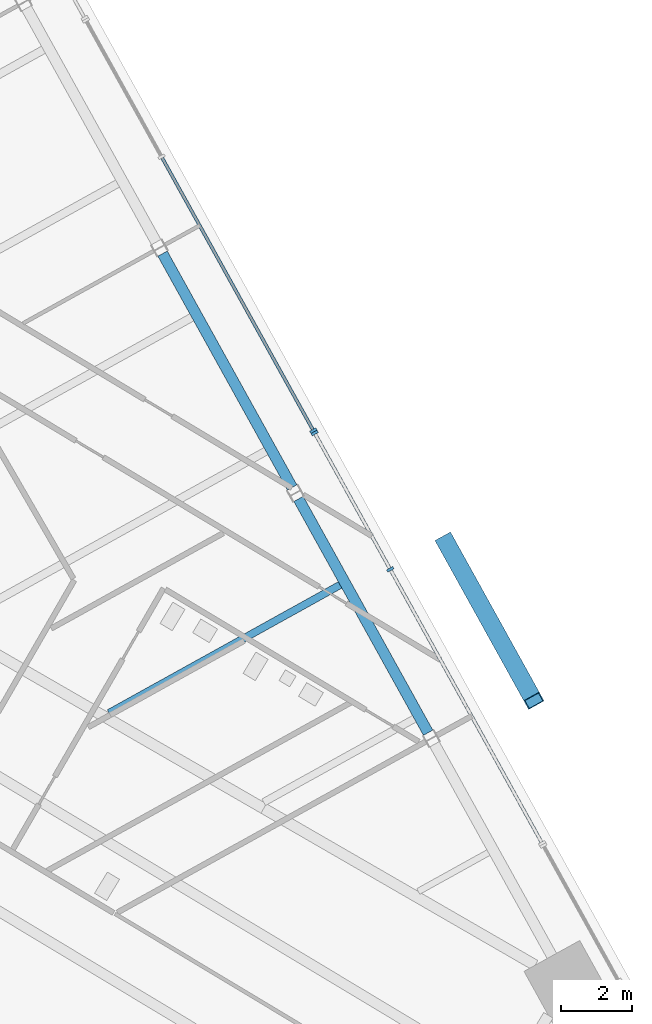
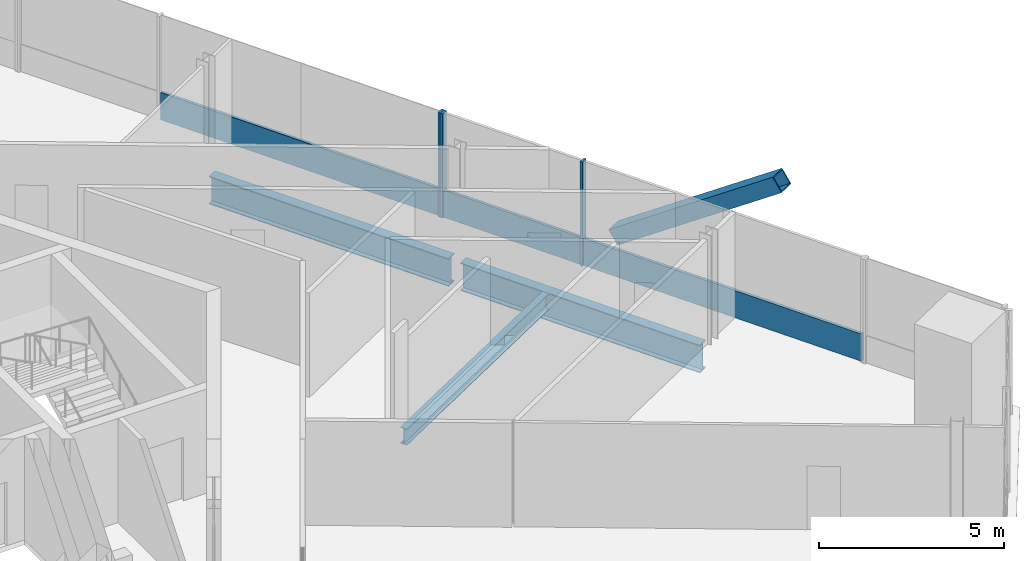
# One storey, part 7 of 19: 7 members, 3 beams, 2 elements without a shape of their own.
"""IFC4 building model written with IfcOpenShell, lengths in metres."""

from ifc_helpers import new_model, si_unit, direction, frame, origin, origin_2d, place, context, subcontext, project, spatial, rectangle, hollow_rectangle, i_section, extrude, source, transform, mapped, material, material_profile, profile_set, type_object, element, aggregate, save


model = new_model("IFC4")

# Units and contexts
model_context = context("Model", 3, precision=1e-05, world=origin(), true_north=direction((0.0, 1.0)))
body_context = subcontext(model_context, "Body", "Model", "MODEL_VIEW")
ifc_project = project(units=[si_unit("LENGTHUNIT", "METRE"), si_unit("AREAUNIT", "SQUARE_METRE"), si_unit("VOLUMEUNIT", "CUBIC_METRE"), si_unit("PLANEANGLEUNIT", "RADIAN"), si_unit("MASSUNIT", "GRAM", prefix="KILO")], contexts=[model_context])

# Site, building, storey
site_placement = place(None, origin())
site = spatial("IfcSite", under=ifc_project, at=site_placement, CompositionType="ELEMENT")
building_placement = place(site_placement, origin())
building = spatial("IfcBuilding", under=site, at=building_placement, Name="Triune Harvest Tower", CompositionType="ELEMENT")
storey_placement = place(building_placement, frame((0.0, 0.0, 205.10009765625)))
storey = spatial("IfcBuildingStorey", under=building, at=storey_placement, Name="L53", CompositionType="ELEMENT", Elevation=205.10009765625)

# Beams
ifc_material_1 = material(Name="Steel ASTM A992 Gr 50", Category="steel")
ifc_material_profile_1 = material_profile(ifc_material_1, i_section(OverallWidth=0.3046875, OverallDepth=0.914306640625, WebThickness=0.0166015625, FlangeThickness=0.02587890625, at=origin_2d()), Name="W36x160")
ifc_profile_set_1 = profile_set([ifc_material_profile_1], Name="Steel ASTM A992 Gr 50")
beam_type_1 = type_object("IfcBeamType", Name="SB-1 Spandrel beam W36x160", PredefinedType="SPANDREL", material=ifc_profile_set_1)
shared_shape_1 = source(origin(), body_context, "Body", "SweptSolid", [
    extrude(i_section(OverallWidth=0.3046875, OverallDepth=0.914306640625, WebThickness=0.0166015625, FlangeThickness=0.02587890625, at=origin_2d()), origin(), (0.0, 0.0, 1.0), 7.556396484375),
])
for number, where, z_axis, x_axis, name in (
    (1, (24.542236328125, -4.311279296875, -0.6171875), (-0.484806011206, 0.874621707654, 0.0), (-0.874621707654, -0.484806011206, 0.0), "beam/L53/SB2"),
    (2, (20.698974609375, 2.6220703125, -0.6171875), (-0.484806011206, 0.874621707654, 0.0), (-0.874621707654, -0.484806011206, 0.0), "beam/L53/SB3"),
):
    element("IfcBeam", number, at=place(storey_placement, frame(where, z_axis=z_axis, x_axis=x_axis)), inside=storey, type_object=beam_type_1, Name=name, PredefinedType="SPANDREL", context=body_context, shape_type="MappedRepresentation", body=[
        mapped(shared_shape_1, transform((0.0, 0.0, 0.0), scale=1.0)),
    ])
ifc_material_2 = material(Name="Steel ASTM A992 Gr 50", Category="steel")
ifc_material_profile_2 = material_profile(ifc_material_2, i_section(OverallWidth=0.2099609375, OverallDepth=0.535888671875, WebThickness=0.010986328125, FlangeThickness=0.017333984375, at=origin_2d()), Name="W21x68")
ifc_profile_set_2 = profile_set([ifc_material_profile_2], Name="Steel ASTM A992 Gr 50")
beam_type_2 = type_object("IfcBeamType", Name="JT-2 Floor joist W21x68", PredefinedType="JOIST", material=ifc_profile_set_2)
shared_shape_2 = source(origin(), body_context, "Body", "SweptSolid", [
    extrude(i_section(OverallWidth=0.2099609375, OverallDepth=0.535888671875, WebThickness=0.010986328125, FlangeThickness=0.017333984375, at=origin_2d()), origin(), (0.0, 0.0, 1.0), 7.46240234375),
])
beam_placement = place(storey_placement, frame((22.052978515625, -0.13525390625, -0.427978515625), z_axis=(-0.87461829469, -0.484812168363, 0.0), x_axis=(0.484812168363, -0.87461829469, 0.0)))
element("IfcBeam", 3, at=beam_placement, inside=storey, type_object=beam_type_2, Name="beam/L53/JT3", PredefinedType="JOIST", context=body_context, shape_type="MappedRepresentation", body=[
    mapped(shared_shape_2, transform((0.0, 0.0, 0.0), scale=1.0)),
])

# Member
ifc_material_3 = material(Name="Steel ASTM A572 Gr 50", Category="steel")
ifc_material_profile_3 = material_profile(ifc_material_3, hollow_rectangle(XDim=0.5, YDim=0.5, WallThickness=0.030029296875, at=origin_2d()), Name="Box 500x500x30")
ifc_profile_set_3 = profile_set([ifc_material_profile_3], Name="Steel ASTM A572 Gr 50")
member_type_1 = type_object("IfcMemberType", Name="BR-3 Brace Box 500x500x30", PredefinedType="BRACE", material=ifc_profile_set_3)
shared_shape_3 = source(origin(), body_context, "Body", "SweptSolid", [
    extrude(hollow_rectangle(XDim=0.5, YDim=0.5, WallThickness=0.030029296875, at=origin_2d()), origin(), (0.0, 0.0, 1.0), 6.302734375),
])
member_1_placement = place(storey_placement, frame((25.02294921875, 1.11669921875, 0.0), z_axis=(0.397966249963, -0.71791964929, 0.57115167955), x_axis=(0.874610982048, 0.484825360395, 0.0)))
element("IfcMember", 4, at=member_1_placement, inside=storey, type_object=member_type_1, Name="brace/B5-F1/d2/8", PredefinedType="BRACE", context=body_context, shape_type="MappedRepresentation", body=[
    mapped(shared_shape_3, transform((0.0, 0.0, 0.0), scale=1.0)),
])

# Curtain wall, members
ifc_material_4 = material(Name="Aluminium bronze anodised", Category="aluminium")
curtain_wall_type_1 = type_object("IfcCurtainWallType", Name="CW-7 Tower stick curtain wall with insulated spandrel infill", PredefinedType="NOTDEFINED", material=ifc_material_4)
curtain_wall_1_placement = place(storey_placement, origin())
curtain_wall_1 = element("IfcCurtainWall", 5, at=curtain_wall_1_placement, inside=storey, type_object=curtain_wall_type_1, Name="CW-7 B5-F1 L53 run 1001")
ifc_material_5 = material(Name="Aluminium bronze anodised", Category="aluminium")
ifc_material_profile_4 = material_profile(ifc_material_5, rectangle(XDim=0.199951171875, YDim=0.074951171875, at=origin_2d()), Name="MU-1 mullion 75 x 200")
ifc_profile_set_4 = profile_set([ifc_material_profile_4], Name="Aluminium bronze anodised")
member_type_2 = type_object("IfcMemberType", Name="MU-1 mullion 75 x 200", PredefinedType="MULLION", material=ifc_profile_set_4)
shared_shape_4 = source(origin(), body_context, "Body", "SweptSolid", [
    extrude(rectangle(XDim=0.199951171875, YDim=0.074951171875, at=origin_2d()), origin(), (0.0, 0.0, 1.0), 3.43994140625),
])
member_2_placement = place(storey_placement, frame((23.47119140625, 0.306884765625, 0.0), z_axis=(0.0, 0.0, 1.0), x_axis=(-0.874621401605, -0.484806563337, 0.0)))
member_2 = element("IfcMember", 6, at=member_2_placement, type_object=member_type_2, Name="CW-7 mullion B5-F1 1001.3", PredefinedType="MULLION", context=body_context, shape_type="MappedRepresentation", body=[
    mapped(shared_shape_4, transform((0.0, 0.0, 0.0), scale=1.0)),
])
member_3_placement = place(storey_placement, frame((21.334716796875, 4.160888671875, 0.0), z_axis=(0.0, 0.0, 1.0), x_axis=(-0.874621401605, -0.484806563337, 0.0)))
member_3 = element("IfcMember", 7, at=member_3_placement, type_object=member_type_2, Name="CW-7 mullion B5-F1 1001.4", PredefinedType="MULLION", context=body_context, shape_type="MappedRepresentation", body=[
    mapped(shared_shape_4, transform((0.0, 0.0, 0.0), scale=1.0)),
])

ifc_material_6 = material(Name="Aluminium bronze anodised", Category="aluminium")
curtain_wall_type_2 = type_object("IfcCurtainWallType", Name="CW-1 Tower stick curtain wall", PredefinedType="NOTDEFINED", material=ifc_material_6)
curtain_wall_2_placement = place(storey_placement, origin())
curtain_wall_2 = element("IfcCurtainWall", 8, at=curtain_wall_2_placement, inside=storey, type_object=curtain_wall_type_2, Name="CW-1 B5-F1 L53 run 2001")
member_4_placement = place(storey_placement, frame((21.29833984375, 4.2265625, 0.0), z_axis=(0.0, 0.0, 1.0), x_axis=(-0.87461998417, -0.48480912047, 0.0)))
member_4 = element("IfcMember", 9, at=member_4_placement, type_object=member_type_2, Name="CW-1 mullion B5-F1 2001.1", PredefinedType="MULLION", context=body_context, shape_type="MappedRepresentation", body=[
    mapped(shared_shape_4, transform((0.0, 0.0, 0.0), scale=1.0)),
])
ifc_material_7 = material(Name="Aluminium bronze anodised", Category="aluminium")
ifc_material_profile_5 = material_profile(ifc_material_7, rectangle(XDim=0.090087890625, YDim=0.89990234375, at=origin_2d()), Name="TR-1 transom 90 x 900")
ifc_profile_set_5 = profile_set([ifc_material_profile_5], Name="Aluminium bronze anodised")
member_type_3 = type_object("IfcMemberType", Name="TR-1 transom 90 x 900", PredefinedType="USERDEFINED", material=ifc_profile_set_5)
shared_shape_5 = source(origin(), body_context, "Body", "SweptSolid", [
    extrude(rectangle(XDim=0.090087890625, YDim=0.89990234375, at=origin_2d()), origin(), (0.0, 0.0, 1.0), 8.776123046875),
])
member_5_placement = place(storey_placement, frame((21.280029296875, 4.25927734375, 0.449951171875), z_axis=(-0.484799478491, 0.874625328729, 0.0), x_axis=(-0.874625328729, -0.484799478491, 0.0)))
member_5 = element("IfcMember", 10, at=member_5_placement, type_object=member_type_3, Name="CW-1 transom B5-F1 2001.1", ObjectType="TRANSOM", PredefinedType="USERDEFINED", context=body_context, shape_type="MappedRepresentation", body=[
    mapped(shared_shape_5, transform((0.0, 0.0, 0.0), scale=1.0)),
])
aggregate(curtain_wall_2, [member_4, member_5])

# Member
shared_shape_6 = source(origin(), body_context, "Body", "SweptSolid", [
    extrude(rectangle(XDim=0.090087890625, YDim=0.89990234375, at=origin_2d()), origin(), (0.0, 0.0, 1.0), 4.331787109375),
])
member_6_placement = place(storey_placement, frame((23.452880859375, 0.339599609375, 0.449951171875), z_axis=(-0.484819628701, 0.874614159287, 0.0), x_axis=(-0.874614159287, -0.484819628701, 0.0)))
member_6 = element("IfcMember", 11, at=member_6_placement, type_object=member_type_3, Name="CW-7 transom B5-F1 1001.2", ObjectType="TRANSOM", PredefinedType="USERDEFINED", context=body_context, shape_type="MappedRepresentation", body=[
    mapped(shared_shape_6, transform((0.0, 0.0, 0.0), scale=1.0)),
])

shared_shape_7 = source(origin(), body_context, "Body", "SweptSolid", [
    extrude(rectangle(XDim=0.090087890625, YDim=0.89990234375, at=origin_2d()), origin(), (0.0, 0.0, 1.0), 8.77587890625),
])
member_7_placement = place(storey_placement, frame((27.743896484375, -7.401611328125, 0.449951171875), z_axis=(-0.484811274434, 0.874618790206, 0.0), x_axis=(-0.874618790206, -0.484811274434, 0.0)))
member_7 = element("IfcMember", 12, at=member_7_placement, type_object=member_type_3, Name="CW-7 transom B5-F1 1001.1", ObjectType="TRANSOM", PredefinedType="USERDEFINED", context=body_context, shape_type="MappedRepresentation", body=[
    mapped(shared_shape_7, transform((0.0, 0.0, 0.0), scale=1.0)),
])

aggregate(curtain_wall_1, [member_2, member_3, member_7, member_6])

save(model, "model.ifc")
